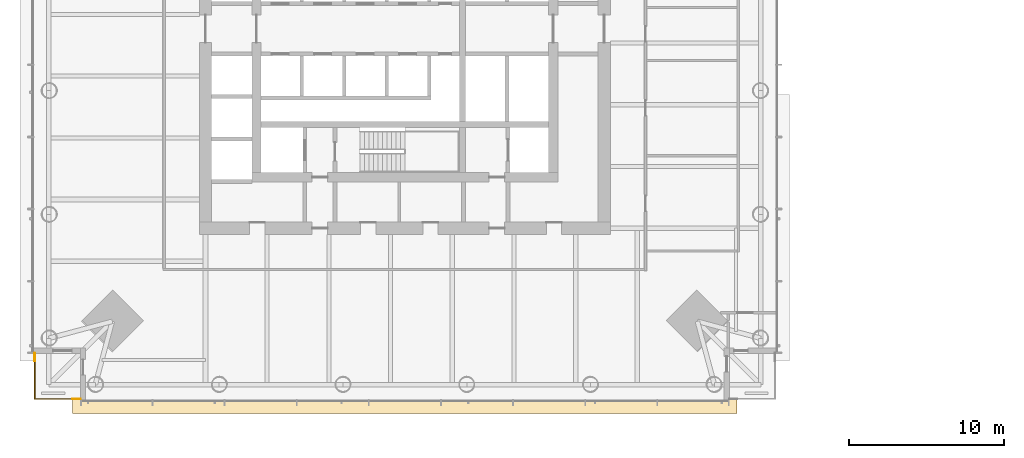
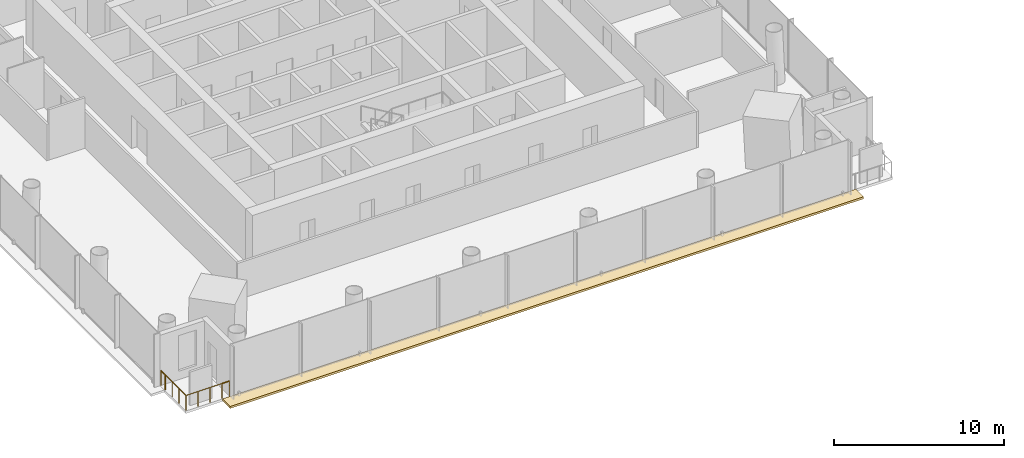
# One storey, part 22 of 26: 3 railings, 1 covering.
"""IFC4 building model written with IfcOpenShell, lengths in metres."""

from ifc_helpers import new_model, si_unit, direction, frame, origin, origin_2d, place, context, subcontext, project, spatial, polyline, circle, outline, extrude, material, layer, layer_set, type_object, element, save


model = new_model("IFC4")

# Units and contexts
model_context = context("Model", 3, precision=1e-05, world=origin(), true_north=direction((0.0, 1.0)))
body_context = subcontext(model_context, "Body", "Model", "MODEL_VIEW")
ifc_project = project(units=[si_unit("LENGTHUNIT", "METRE"), si_unit("AREAUNIT", "SQUARE_METRE"), si_unit("VOLUMEUNIT", "CUBIC_METRE"), si_unit("PLANEANGLEUNIT", "RADIAN"), si_unit("MASSUNIT", "GRAM", prefix="KILO")], contexts=[model_context])

# Site, building, storey
site_placement = place(None, origin())
site = spatial("IfcSite", under=ifc_project, at=site_placement, CompositionType="ELEMENT")
building_placement = place(site_placement, origin())
building = spatial("IfcBuilding", under=site, at=building_placement, Name="Ostroluk Exchange", CompositionType="ELEMENT")
storey_placement = place(building_placement, frame((0.0, 0.0, 51.39990234375)))
storey = spatial("IfcBuildingStorey", under=building, at=storey_placement, Name="L12", CompositionType="ELEMENT", Elevation=51.39990234375)

# Railings
ifc_material_1 = material(Name="Stainless steel", Category="steel")
railing_type_1 = type_object("IfcRailingType", Name="Guard 1100 stainless steel", PredefinedType="GUARDRAIL", material=ifc_material_1)
railing_1_placement = place(storey_placement, frame((23.5, 22.050048828125, 0.0)))
element("IfcRailing", 1, at=railing_1_placement, inside=storey, type_object=railing_type_1, Name="Office tower SW balcony guard L12", PredefinedType="GUARDRAIL", context=body_context, shape_type="SweptSolid", body=[
    extrude(circle(Radius=0.02392578125, at=origin_2d()), frame((0.0, 0.0, 1.076171875), z_axis=(-1.0, 0.0, 0.0), x_axis=(0.0, -1.0, 0.0)), (0.0, 0.0, 1.0), 2.449951171875),
    extrude(circle(Radius=0.02392578125, at=origin_2d()), frame((-2.449951171875, 0.0, 1.076171875), z_axis=(0.0, 1.0, 0.0), x_axis=(-1.0, 0.0, 0.0)), (0.0, 0.0, 1.0), 2.449951171875),
    extrude(circle(Radius=0.02099609375, at=origin_2d()), origin(), (0.0, 0.0, 1.0), 1.052001953125),
    extrude(circle(Radius=0.02099609375, at=origin_2d()), frame((-0.816650390625, 0.0, 0.0)), (0.0, 0.0, 1.0), 1.052001953125),
    extrude(circle(Radius=0.02099609375, at=origin_2d()), frame((-1.63330078125, 0.0, 0.0)), (0.0, 0.0, 1.0), 1.052001953125),
    extrude(circle(Radius=0.02099609375, at=origin_2d()), frame((-2.449951171875, 0.0, 0.0)), (0.0, 0.0, 1.0), 1.052001953125),
    extrude(circle(Radius=0.02099609375, at=origin_2d()), frame((-2.449951171875, 0.816650390625, 0.0)), (0.0, 0.0, 1.0), 1.052001953125),
    extrude(circle(Radius=0.02099609375, at=origin_2d()), frame((-2.449951171875, 1.63330078125, 0.0)), (0.0, 0.0, 1.0), 1.052001953125),
    extrude(circle(Radius=0.02099609375, at=origin_2d()), frame((-2.449951171875, 2.449951171875, 0.0)), (0.0, 0.0, 1.0), 1.052001953125),
])
ifc_material_2 = material(Name="Stainless steel", Category="steel")
railing_type_2 = type_object("IfcRailingType", Name="Lockable maintenance gate 1100", PredefinedType="GUARDRAIL", material=ifc_material_2)
railing_2_placement = place(storey_placement, frame((24.0, 22.050048828125, 0.0)))
element("IfcRailing", 2, at=railing_2_placement, inside=storey, type_object=railing_type_2, Name="Lockable maintenance gate T1 L12 SW", PredefinedType="GUARDRAIL", context=body_context, shape_type="SweptSolid", body=[
    extrude(circle(Radius=0.02392578125, at=origin_2d()), frame((0.0, 0.0, 1.076171875), z_axis=(-1.0, 0.0, 0.0), x_axis=(0.0, -1.0, 0.0)), (0.0, 0.0, 1.0), 0.5),
    extrude(circle(Radius=0.02099609375, at=origin_2d()), origin(), (0.0, 0.0, 1.0), 1.052001953125),
    extrude(circle(Radius=0.02099609375, at=origin_2d()), frame((-0.5, 0.0, 0.0)), (0.0, 0.0, 1.0), 1.052001953125),
])
railing_3_placement = place(storey_placement, frame((21.050048828125, 24.5, 0.0)))
element("IfcRailing", 3, at=railing_3_placement, inside=storey, type_object=railing_type_2, Name="Lockable maintenance gate T1 L12 SW", PredefinedType="GUARDRAIL", context=body_context, shape_type="SweptSolid", body=[
    extrude(circle(Radius=0.02392578125, at=origin_2d()), frame((0.0, 0.0, 1.076171875), z_axis=(0.0, 1.0, 0.0), x_axis=(-1.0, 0.0, 0.0)), (0.0, 0.0, 1.0), 0.5),
    extrude(circle(Radius=0.02099609375, at=origin_2d()), origin(), (0.0, 0.0, 1.0), 1.052001953125),
    extrude(circle(Radius=0.02099609375, at=origin_2d()), frame((0.0, 0.5, 0.0)), (0.0, 0.0, 1.0), 1.052001953125),
])

# Covering
ifc_material_3 = material(Name="Insulated steel roof deck with membrane, laid to falls, aluminium coping", Category="steel")
ifc_layer = layer(ifc_material_3, 0.14990234375)
ifc_layer_set = layer_set([ifc_layer], Name="Setback maintenance roof")
covering_type = type_object("IfcCoveringType", Name="Setback maintenance roof", PredefinedType="ROOFING", material=ifc_layer_set)
covering_placement = place(storey_placement, frame((0.0, 0.0, -0.14990234375)))
element("IfcCovering", 4, at=covering_placement, inside=storey, type_object=covering_type, Name="Maintenance roof, setback L12 south", PredefinedType="ROOFING", context=body_context, shape_type="SweptSolid", body=[
    extrude(outline(polyline([(23.5, 22.0), (66.5, 22.0), (66.5, 21.10009765625), (23.5, 21.10009765625), (23.5, 22.0)])), origin(), (0.0, 0.0, 1.0), 0.14990234375),
])

save(model, "model.ifc")
